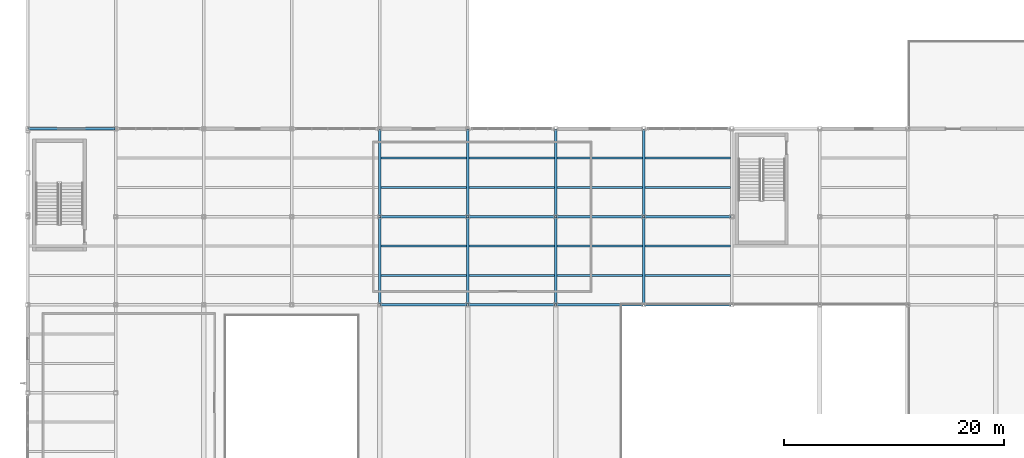
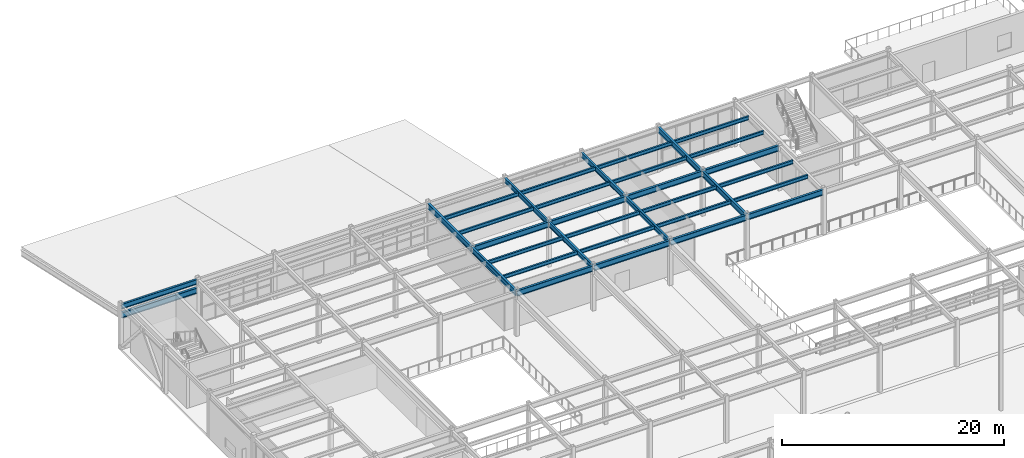
# One storey, part 34 of 77: 34 beams.
"""IFC4 building model written with IfcOpenShell, lengths in metres."""

from ifc_helpers import new_model, si_unit, direction, frame, origin, origin_2d, place, context, subcontext, project, spatial, i_section, extrude, material, material_profile, profile_set, type_object, element, save


model = new_model("IFC4")

# Units and contexts
model_context = context("Model", 3, precision=1e-05, world=origin(), true_north=direction((0.0, 1.0)))
body_context = subcontext(model_context, "Body", "Model", "MODEL_VIEW")
ifc_project = project(units=[si_unit("LENGTHUNIT", "METRE"), si_unit("AREAUNIT", "SQUARE_METRE"), si_unit("VOLUMEUNIT", "CUBIC_METRE"), si_unit("PLANEANGLEUNIT", "RADIAN"), si_unit("MASSUNIT", "GRAM", prefix="KILO")], contexts=[model_context])

# Site, building, storey
site_placement = place(None, origin())
site = spatial("IfcSite", under=ifc_project, at=site_placement, CompositionType="ELEMENT")
building_placement = place(site_placement, origin())
building = spatial("IfcBuilding", under=site, at=building_placement, Name="Drelvath Fold Interchange", CompositionType="ELEMENT")
storey_placement = place(building_placement, frame((0.0, 0.0, 6.0)))
storey = spatial("IfcBuildingStorey", under=building, at=storey_placement, Name="L01", CompositionType="ELEMENT", Elevation=6.0)

# Beams
ifc_material = material(Name="Steel ASTM A992 Grade 50", Category="steel")
ifc_material_profile_1 = material_profile(ifc_material, i_section(OverallWidth=0.177978515625, OverallDepth=0.403076171875, WebThickness=0.007568359375, FlangeThickness=0.010986328125, at=origin_2d()), Name="W16X36")
ifc_profile_set_1 = profile_set([ifc_material_profile_1], Name="Steel ASTM A992 Grade 50")
beam_type_1 = type_object("IfcBeamType", Name="BM-W16X36", PredefinedType="JOIST", material=ifc_profile_set_1)
for number, where, z_axis, x_axis, name in (
    (1, (36.113037109375, 85.6669921875, 4.748046875), (1.0, 0.0, 0.0), (0.0, 1.0, 0.0), "L01 Secondary floor joist BM-W16X36"),
    (2, (36.113037109375, 88.3330078125, 4.748046875), (1.0, 0.0, 0.0), (0.0, 1.0, 0.0), "L01 Secondary floor joist BM-W16X36"),
    (3, (36.113037109375, 93.6669921875, 4.748046875), (1.0, 0.0, 0.0), (0.0, 1.0, 0.0), "L01 Secondary floor joist BM-W16X36"),
    (4, (36.113037109375, 96.3330078125, 4.748046875), (1.0, 0.0, 0.0), (0.0, 1.0, 0.0), "L01 Secondary floor joist BM-W16X36"),
):
    element("IfcBeam", number, at=place(storey_placement, frame(where, z_axis=z_axis, x_axis=x_axis)), inside=storey, type_object=beam_type_1, Name=name, PredefinedType="JOIST", context=body_context, shape_type="SweptSolid", body=[
        extrude(i_section(OverallWidth=0.177978515625, OverallDepth=0.403076171875, WebThickness=0.007568359375, FlangeThickness=0.010986328125, at=origin_2d()), origin(), (0.0, 0.0, 1.0), 7.783935546875),
    ])
for number, where, z_axis, x_axis, name in (
    (5, (44.10302734375, 85.6669921875, 4.748046875), (1.0, 0.0, 0.0), (0.0, 1.0, 0.0), "L01 Secondary floor joist BM-W16X36"),
    (6, (44.10302734375, 88.3330078125, 4.748046875), (1.0, 0.0, 0.0), (0.0, 1.0, 0.0), "L01 Secondary floor joist BM-W16X36"),
    (7, (44.10302734375, 93.6669921875, 4.748046875), (1.0, 0.0, 0.0), (0.0, 1.0, 0.0), "L01 Secondary floor joist BM-W16X36"),
    (8, (44.10302734375, 96.3330078125, 4.748046875), (1.0, 0.0, 0.0), (0.0, 1.0, 0.0), "L01 Secondary floor joist BM-W16X36"),
):
    element("IfcBeam", number, at=place(storey_placement, frame(where, z_axis=z_axis, x_axis=x_axis)), inside=storey, type_object=beam_type_1, Name=name, PredefinedType="JOIST", context=body_context, shape_type="SweptSolid", body=[
        extrude(i_section(OverallWidth=0.177978515625, OverallDepth=0.403076171875, WebThickness=0.007568359375, FlangeThickness=0.010986328125, at=origin_2d()), origin(), (0.0, 0.0, 1.0), 7.7939453125),
    ])
for number, where, z_axis, x_axis, name in (
    (9, (52.10302734375, 85.6669921875, 4.748046875), (1.0, 0.0, 0.0), (0.0, 1.0, 0.0), "L01 Secondary floor joist BM-W16X36"),
    (10, (52.10302734375, 88.3330078125, 4.748046875), (1.0, 0.0, 0.0), (0.0, 1.0, 0.0), "L01 Secondary floor joist BM-W16X36"),
    (11, (52.10302734375, 93.6669921875, 4.748046875), (1.0, 0.0, 0.0), (0.0, 1.0, 0.0), "L01 Secondary floor joist BM-W16X36"),
    (12, (52.10302734375, 96.3330078125, 4.748046875), (1.0, 0.0, 0.0), (0.0, 1.0, 0.0), "L01 Secondary floor joist BM-W16X36"),
):
    element("IfcBeam", number, at=place(storey_placement, frame(where, z_axis=z_axis, x_axis=x_axis)), inside=storey, type_object=beam_type_1, Name=name, PredefinedType="JOIST", context=body_context, shape_type="SweptSolid", body=[
        extrude(i_section(OverallWidth=0.177978515625, OverallDepth=0.403076171875, WebThickness=0.007568359375, FlangeThickness=0.010986328125, at=origin_2d()), origin(), (0.0, 0.0, 1.0), 7.783935546875),
    ])
for number, where, z_axis, x_axis, name in (
    (13, (60.113037109375, 85.6669921875, 4.748046875), (1.0, 0.0, 0.0), (0.0, 1.0, 0.0), "L01 Secondary floor joist BM-W16X36"),
    (14, (60.113037109375, 88.3330078125, 4.748046875), (1.0, 0.0, 0.0), (0.0, 1.0, 0.0), "L01 Secondary floor joist BM-W16X36"),
    (15, (60.113037109375, 93.6669921875, 4.748046875), (1.0, 0.0, 0.0), (0.0, 1.0, 0.0), "L01 Secondary floor joist BM-W16X36"),
    (16, (60.113037109375, 96.3330078125, 4.748046875), (1.0, 0.0, 0.0), (0.0, 1.0, 0.0), "L01 Secondary floor joist BM-W16X36"),
):
    element("IfcBeam", number, at=place(storey_placement, frame(where, z_axis=z_axis, x_axis=x_axis)), inside=storey, type_object=beam_type_1, Name=name, PredefinedType="JOIST", context=body_context, shape_type="SweptSolid", body=[
        extrude(i_section(OverallWidth=0.177978515625, OverallDepth=0.403076171875, WebThickness=0.007568359375, FlangeThickness=0.010986328125, at=origin_2d()), origin(), (0.0, 0.0, 1.0), 7.77392578125),
    ])
ifc_material_profile_2 = material_profile(ifc_material, i_section(OverallWidth=0.2099609375, OverallDepth=0.537109375, WebThickness=0.010986328125, FlangeThickness=0.017333984375, at=origin_2d()), Name="W21X68")
ifc_profile_set_2 = profile_set([ifc_material_profile_2], Name="Steel ASTM A992 Grade 50")
beam_type_2 = type_object("IfcBeamType", Name="BM-W21X68", PredefinedType="SPANDREL", material=ifc_profile_set_2)
for number, where, z_axis, x_axis, name in (
    (17, (4.06005859375, 99.0, 4.680908203125), (1.0, 0.0, 0.0), (0.0, 1.0, 0.0), "L01 Primary X girder BM-W21X68"),
    (18, (44.0, 83.06005859375, 4.680908203125), (0.0, 1.0, 0.0), (-1.0, 0.0, 0.0), "L01 Primary Y girder BM-W21X68"),
    (19, (44.0, 91.06005859375, 4.680908203125), (0.0, 1.0, 0.0), (-1.0, 0.0, 0.0), "L01 Primary Y girder BM-W21X68"),
    (20, (52.0, 83.06005859375, 4.680908203125), (0.0, 1.0, 0.0), (-1.0, 0.0, 0.0), "L01 Primary Y girder BM-W21X68"),
    (21, (52.0, 91.06005859375, 4.680908203125), (0.0, 1.0, 0.0), (-1.0, 0.0, 0.0), "L01 Primary Y girder BM-W21X68"),
):
    element("IfcBeam", number, at=place(storey_placement, frame(where, z_axis=z_axis, x_axis=x_axis)), inside=storey, type_object=beam_type_2, Name=name, PredefinedType="SPANDREL", context=body_context, shape_type="SweptSolid", body=[
        extrude(i_section(OverallWidth=0.2099609375, OverallDepth=0.537109375, WebThickness=0.010986328125, FlangeThickness=0.017333984375, at=origin_2d()), origin(), (0.0, 0.0, 1.0), 7.8798828125),
    ])
ifc_material_profile_3 = material_profile(ifc_material, i_section(OverallWidth=0.22998046875, OverallDepth=0.616943359375, WebThickness=0.01318359375, FlangeThickness=0.022216796875, at=origin_2d()), Name="W24X94")
ifc_profile_set_3 = profile_set([ifc_material_profile_3], Name="Steel ASTM A992 Grade 50")
beam_type_3 = type_object("IfcBeamType", Name="BM-W24X94", PredefinedType="BEAM", material=ifc_profile_set_3)
for number, where, z_axis, x_axis, name in (
    (22, (36.06005859375, 83.0, 4.64111328125), (1.0, 0.0, 0.0), (0.0, 1.0, 0.0), "L01 Primary X girder BM-W24X94"),
    (23, (44.06005859375, 83.0, 4.64111328125), (1.0, 0.0, 0.0), (0.0, 1.0, 0.0), "L01 Primary X girder BM-W24X94"),
    (24, (52.06005859375, 83.0, 4.64111328125), (1.0, 0.0, 0.0), (0.0, 1.0, 0.0), "L01 Primary X girder BM-W24X94"),
    (25, (60.06005859375, 83.0, 4.64111328125), (1.0, 0.0, 0.0), (0.0, 1.0, 0.0), "L01 Primary X girder BM-W24X94"),
    (26, (36.06005859375, 91.0, 4.64111328125), (1.0, 0.0, 0.0), (0.0, 1.0, 0.0), "L01 Primary X girder BM-W24X94"),
    (27, (44.06005859375, 91.0, 4.64111328125), (1.0, 0.0, 0.0), (0.0, 1.0, 0.0), "L01 Primary X girder BM-W24X94"),
    (28, (52.06005859375, 91.0, 4.64111328125), (1.0, 0.0, 0.0), (0.0, 1.0, 0.0), "L01 Primary X girder BM-W24X94"),
    (29, (60.06005859375, 91.0, 4.64111328125), (1.0, 0.0, 0.0), (0.0, 1.0, 0.0), "L01 Primary X girder BM-W24X94"),
    (30, (36.0, 83.06005859375, 4.64111328125), (0.0, 1.0, 0.0), (-1.0, 0.0, 0.0), "L01 Primary Y girder BM-W24X94"),
    (31, (36.0, 91.06005859375, 4.64111328125), (0.0, 1.0, 0.0), (-1.0, 0.0, 0.0), "L01 Primary Y girder BM-W24X94"),
    (32, (60.0, 83.06005859375, 4.64111328125), (0.0, 1.0, 0.0), (-1.0, 0.0, 0.0), "L01 Primary Y girder BM-W24X94"),
    (33, (60.0, 91.06005859375, 4.64111328125), (0.0, 1.0, 0.0), (-1.0, 0.0, 0.0), "L01 Primary Y girder BM-W24X94"),
    (34, (4.06005859375, 99.0, 3.720947265625), (1.0, 0.0, 0.0), (0.0, 1.0, 0.0), "L01 North concourse ridge girder BM-W24X94"),
):
    element("IfcBeam", number, at=place(storey_placement, frame(where, z_axis=z_axis, x_axis=x_axis)), inside=storey, type_object=beam_type_3, Name=name, PredefinedType="BEAM", context=body_context, shape_type="SweptSolid", body=[
        extrude(i_section(OverallWidth=0.22998046875, OverallDepth=0.616943359375, WebThickness=0.01318359375, FlangeThickness=0.022216796875, at=origin_2d()), origin(), (0.0, 0.0, 1.0), 7.8798828125),
    ])

save(model, "model.ifc")
